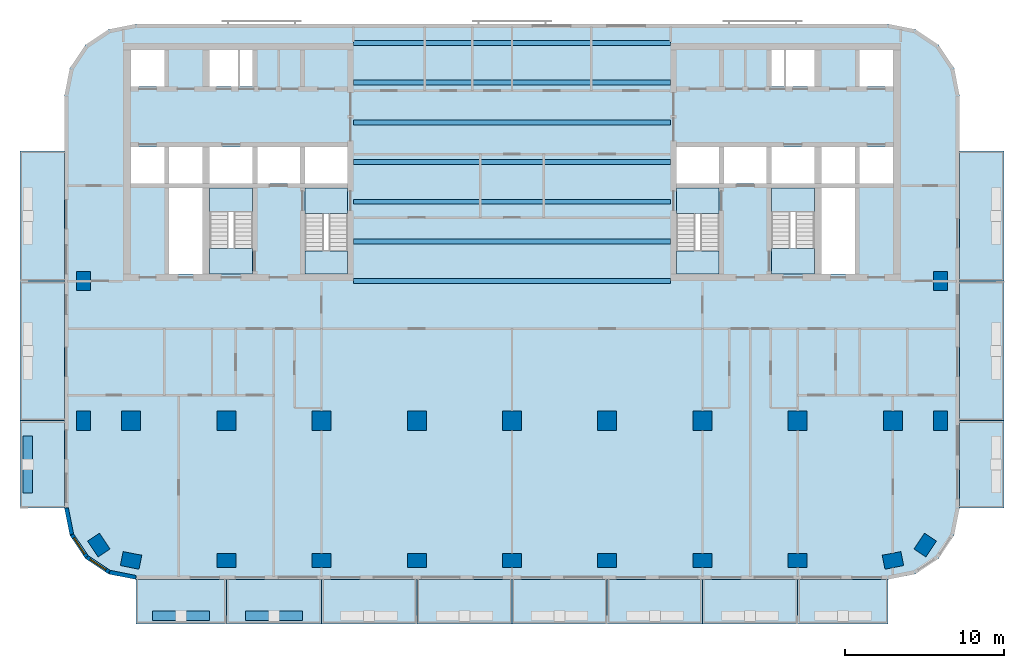
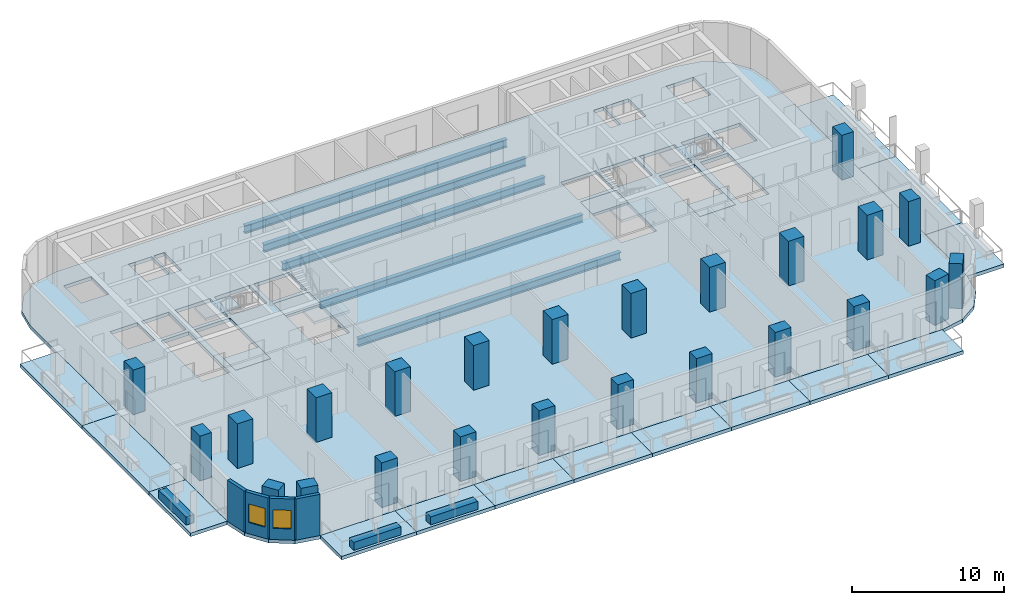
# One storey, part 1 of 11: 24 columns, 23 slabs, 7 beams, 7 walls, 2 windows, 2 openings, 4 elements without a shape of their own.
"""IFC4 building model written with IfcOpenShell, lengths in metres."""

from ifc_helpers import new_model, si_unit, direction, frame, frame_2d, origin, origin_2d, place, context, subcontext, project, spatial, polyline, rectangle, i_section, outline, extrude, material, layer, layer_set, material_profile, profile_set, type_object, element, fill, aggregate, save


model = new_model("IFC4")

# Units and contexts
model_context = context("Model", 3, precision=1e-05, world=origin(), true_north=direction((0.0, 1.0)))
body_context = subcontext(model_context, "Body", "Model", "MODEL_VIEW")
ifc_project = project(units=[si_unit("LENGTHUNIT", "METRE"), si_unit("AREAUNIT", "SQUARE_METRE"), si_unit("VOLUMEUNIT", "CUBIC_METRE"), si_unit("PLANEANGLEUNIT", "RADIAN"), si_unit("MASSUNIT", "GRAM", prefix="KILO")], contexts=[model_context])

# Site, building, storey
site_placement = place(None, origin())
site = spatial("IfcSite", under=ifc_project, at=site_placement, CompositionType="ELEMENT")
building_placement = place(site_placement, origin())
building = spatial("IfcBuilding", under=site, at=building_placement, Name="Torana Hotel and Residences", CompositionType="ELEMENT")
storey_placement = place(building_placement, frame((0.0, 0.0, 127.199951171875)))
storey = spatial("IfcBuildingStorey", under=building, at=storey_placement, Name="L32", CompositionType="ELEMENT", Elevation=127.199951171875)

# Columns
ifc_material_1 = material(Name="Concrete C70/85", Category="concrete")
ifc_material_profile_1 = material_profile(ifc_material_1, rectangle(XDim=1.199951171875, YDim=1.199951171875, at=origin_2d()), Name="RC 1200x1200")
ifc_profile_set_1 = profile_set([ifc_material_profile_1], Name="Concrete C70/85")
column_type_1 = type_object("IfcColumnType", Name="COLUMN RC 1200x1200 C70/85", PredefinedType="COLUMN", material=ifc_profile_set_1)
for number, where, z_axis, x_axis, name in (
    (1, (-24.0, -23.800048828125, 0.0), (0.0, 0.0, 1.0), (1.0, 0.0, 0.0), "Column L32"),
    (2, (-18.0, -23.800048828125, 0.0), (0.0, 0.0, 1.0), (1.0, 0.0, 0.0), "Column L32"),
    (3, (-12.0, -23.800048828125, 0.0), (0.0, 0.0, 1.0), (1.0, 0.0, 0.0), "Column L32"),
    (4, (-6.0, -23.800048828125, 0.0), (0.0, 0.0, 1.0), (1.0, 0.0, 0.0), "Column L32"),
    (5, (0.0, -23.800048828125, 0.0), (0.0, 0.0, 1.0), (1.0, 0.0, 0.0), "Column L32"),
    (6, (6.0, -23.800048828125, 0.0), (0.0, 0.0, 1.0), (1.0, 0.0, 0.0), "Column L32"),
    (7, (12.0, -23.800048828125, 0.0), (0.0, 0.0, 1.0), (1.0, 0.0, 0.0), "Column L32"),
    (8, (18.0, -23.800048828125, 0.0), (0.0, 0.0, 1.0), (1.0, 0.0, 0.0), "Column L32"),
    (9, (24.0, -23.800048828125, 0.0), (0.0, 0.0, 1.0), (1.0, 0.0, 0.0), "Column L32"),
):
    element("IfcColumn", number, at=place(storey_placement, frame(where, z_axis=z_axis, x_axis=x_axis)), inside=storey, type_object=column_type_1, Name=name, PredefinedType="COLUMN", context=body_context, shape_type="SweptSolid", body=[
        extrude(rectangle(XDim=1.199951171875, YDim=1.199951171875, at=origin_2d()), origin(), (0.0, 0.0, 1.0), 3.60009765625),
    ])
ifc_material_2 = material(Name="Concrete C70/85", Category="concrete")
ifc_material_profile_2 = material_profile(ifc_material_2, rectangle(XDim=1.199951171875, YDim=0.89990234375, at=origin_2d()), Name="RC 1200x900")
ifc_profile_set_2 = profile_set([ifc_material_profile_2], Name="Concrete C70/85")
column_type_2 = type_object("IfcColumnType", Name="COLUMN RC 1200x900 C70/85", PredefinedType="COLUMN", material=ifc_profile_set_2)
for number, where, z_axis, x_axis, name in (
    (10, (-27.0, -23.800048828125, 0.0), (0.0, 0.0, 1.0), (0.0, 1.0, 0.0), "Column L32"),
    (11, (-27.0, -15.0, 0.0), (0.0, 0.0, 1.0), (0.0, 1.0, 0.0), "Column L32"),
    (12, (-26.032958984375, -31.633056640625, 0.0), (0.0, 0.0, 1.0), (-0.555584744817, 0.831459915646, 0.0), "Column L32"),
    (13, (-24.0, -32.60009765625, 0.0), (0.0, 0.0, 1.0), (-0.980792089743, 0.195056086032, 0.0), "Column L32"),
    (14, (-18.0, -32.60009765625, 0.0), (0.0, 0.0, 1.0), (1.0, 0.0, 0.0), "Column L32"),
    (15, (-12.0, -32.60009765625, 0.0), (0.0, 0.0, 1.0), (1.0, 0.0, 0.0), "Column L32"),
    (16, (-6.0, -32.60009765625, 0.0), (0.0, 0.0, 1.0), (1.0, 0.0, 0.0), "Column L32"),
    (17, (0.0, -32.60009765625, 0.0), (0.0, 0.0, 1.0), (1.0, 0.0, 0.0), "Column L32"),
    (18, (6.0, -32.60009765625, 0.0), (0.0, 0.0, 1.0), (1.0, 0.0, 0.0), "Column L32"),
    (19, (12.0, -32.60009765625, 0.0), (0.0, 0.0, 1.0), (1.0, 0.0, 0.0), "Column L32"),
    (20, (18.0, -32.60009765625, 0.0), (0.0, 0.0, 1.0), (1.0, 0.0, 0.0), "Column L32"),
    (21, (24.0, -32.60009765625, 0.0), (0.0, 0.0, 1.0), (0.980792089743, 0.195056086032, 0.0), "Column L32"),
    (22, (26.032958984375, -31.633056640625, 0.0), (0.0, 0.0, 1.0), (0.555584744817, 0.831459915646, 0.0), "Column L32"),
    (23, (27.0, -23.800048828125, 0.0), (0.0, 0.0, 1.0), (0.0, 1.0, 0.0), "Column L32"),
    (24, (27.0, -15.0, 0.0), (0.0, 0.0, 1.0), (0.0, 1.0, 0.0), "Column L32"),
):
    element("IfcColumn", number, at=place(storey_placement, frame(where, z_axis=z_axis, x_axis=x_axis)), inside=storey, type_object=column_type_2, Name=name, PredefinedType="COLUMN", context=body_context, shape_type="SweptSolid", body=[
        extrude(rectangle(XDim=1.199951171875, YDim=0.89990234375, at=origin_2d()), origin(), (0.0, 0.0, 1.0), 3.60009765625),
    ])

# Beams
ifc_material_3 = material(Name="Steel S355", Category="steel")
ifc_material_profile_3 = material_profile(ifc_material_3, i_section(OverallWidth=0.311279296875, OverallDepth=0.6357421875, WebThickness=0.018310546875, FlangeThickness=0.031494140625, FilletRadius=0.0166015625, at=origin_2d()), Name="610x305x238 UB")
ifc_profile_set_3 = profile_set([ifc_material_profile_3], Name="Steel S355")
beam_type = type_object("IfcBeamType", Name="STEEL GIRDER 610x305x238 UB", PredefinedType="BEAM", material=ifc_profile_set_3)
for number, where, z_axis, x_axis, name in (
    (25, (-10.0, -15.0, -0.597900390625), (1.0, 0.0, 0.0), (0.0, 1.0, 0.0), "Floor girder"),
    (26, (-10.0, -12.5, -0.597900390625), (1.0, 0.0, 0.0), (0.0, 1.0, 0.0), "Floor girder"),
    (27, (-10.0, -10.0, -0.597900390625), (1.0, 0.0, 0.0), (0.0, 1.0, 0.0), "Floor girder"),
    (28, (-10.0, -7.5, -0.597900390625), (1.0, 0.0, 0.0), (0.0, 1.0, 0.0), "Floor girder"),
    (29, (-10.0, -5.0, -0.597900390625), (1.0, 0.0, 0.0), (0.0, 1.0, 0.0), "Floor girder"),
    (30, (-10.0, -2.5, -0.597900390625), (1.0, 0.0, 0.0), (0.0, 1.0, 0.0), "Floor girder"),
    (31, (-10.0, 0.0, -0.597900390625), (1.0, 0.0, 0.0), (0.0, 1.0, 0.0), "Floor girder"),
):
    element("IfcBeam", number, at=place(storey_placement, frame(where, z_axis=z_axis, x_axis=x_axis)), inside=storey, type_object=beam_type, Name=name, PredefinedType="BEAM", context=body_context, shape_type="SweptSolid", body=[
        extrude(i_section(OverallWidth=0.311279296875, OverallDepth=0.6357421875, WebThickness=0.018310546875, FlangeThickness=0.031494140625, FilletRadius=0.0166015625, at=origin_2d()), origin(), (0.0, 0.0, 1.0), 20.0),
    ])

# Slabs
ifc_material_4 = material(Name="Concrete C40/50", Category="concrete")
ifc_layer_1 = layer(ifc_material_4, 0.280029296875)
ifc_layer_set_1 = layer_set([ifc_layer_1], Name="BAL1 BALCONY SLAB 280")
slab_type_1 = type_object("IfcSlabType", Name="BAL1 BALCONY SLAB 280", PredefinedType="USERDEFINED", material=ifc_layer_set_1)
slab_1_placement = place(storey_placement, frame((0.0, 0.0, -0.280029296875)))
element("IfcSlab", 32, at=slab_1_placement, inside=storey, type_object=slab_type_1, Name="Balcony 01", ObjectType="BALCONY", PredefinedType="USERDEFINED", context=body_context, shape_type="SweptSolid", body=[
    extrude(outline(polyline([(-23.699951171875, -36.60009765625), (-18.0, -36.60009765625), (-18.0, -33.800048828125), (-23.699951171875, -33.800048828125), (-23.699951171875, -36.60009765625)])), origin(), (0.0, 0.0, 1.0), 0.280029296875),
])
slab_2_placement = place(storey_placement, frame((0.0, 0.0, -0.280029296875)))
element("IfcSlab", 33, at=slab_2_placement, inside=storey, type_object=slab_type_1, Name="Balcony 02", ObjectType="BALCONY", PredefinedType="USERDEFINED", context=body_context, shape_type="SweptSolid", body=[
    extrude(outline(polyline([(-18.0, -36.60009765625), (-12.0, -36.60009765625), (-12.0, -33.800048828125), (-18.0, -33.800048828125), (-18.0, -36.60009765625)])), origin(), (0.0, 0.0, 1.0), 0.280029296875),
])
slab_3_placement = place(storey_placement, frame((0.0, 0.0, -0.280029296875)))
element("IfcSlab", 34, at=slab_3_placement, inside=storey, type_object=slab_type_1, Name="Balcony 03", ObjectType="BALCONY", PredefinedType="USERDEFINED", context=body_context, shape_type="SweptSolid", body=[
    extrude(outline(polyline([(-12.0, -36.60009765625), (-6.0, -36.60009765625), (-6.0, -33.800048828125), (-12.0, -33.800048828125), (-12.0, -36.60009765625)])), origin(), (0.0, 0.0, 1.0), 0.280029296875),
])
slab_4_placement = place(storey_placement, frame((0.0, 0.0, -0.280029296875)))
element("IfcSlab", 35, at=slab_4_placement, inside=storey, type_object=slab_type_1, Name="Balcony 04", ObjectType="BALCONY", PredefinedType="USERDEFINED", context=body_context, shape_type="SweptSolid", body=[
    extrude(outline(polyline([(-6.0, -36.60009765625), (0.0, -36.60009765625), (0.0, -33.800048828125), (-6.0, -33.800048828125), (-6.0, -36.60009765625)])), origin(), (0.0, 0.0, 1.0), 0.280029296875),
])
slab_5_placement = place(storey_placement, frame((0.0, 0.0, -0.280029296875)))
element("IfcSlab", 36, at=slab_5_placement, inside=storey, type_object=slab_type_1, Name="Balcony 05", ObjectType="BALCONY", PredefinedType="USERDEFINED", context=body_context, shape_type="SweptSolid", body=[
    extrude(outline(polyline([(0.0, -36.60009765625), (6.0, -36.60009765625), (6.0, -33.800048828125), (0.0, -33.800048828125), (0.0, -36.60009765625)])), origin(), (0.0, 0.0, 1.0), 0.280029296875),
])
slab_6_placement = place(storey_placement, frame((0.0, 0.0, -0.280029296875)))
element("IfcSlab", 37, at=slab_6_placement, inside=storey, type_object=slab_type_1, Name="Balcony 06", ObjectType="BALCONY", PredefinedType="USERDEFINED", context=body_context, shape_type="SweptSolid", body=[
    extrude(outline(polyline([(6.0, -36.60009765625), (12.0, -36.60009765625), (12.0, -33.800048828125), (6.0, -33.800048828125), (6.0, -36.60009765625)])), origin(), (0.0, 0.0, 1.0), 0.280029296875),
])
slab_7_placement = place(storey_placement, frame((0.0, 0.0, -0.280029296875)))
element("IfcSlab", 38, at=slab_7_placement, inside=storey, type_object=slab_type_1, Name="Balcony 07", ObjectType="BALCONY", PredefinedType="USERDEFINED", context=body_context, shape_type="SweptSolid", body=[
    extrude(outline(polyline([(12.0, -36.60009765625), (18.0, -36.60009765625), (18.0, -33.800048828125), (12.0, -33.800048828125), (12.0, -36.60009765625)])), origin(), (0.0, 0.0, 1.0), 0.280029296875),
])
slab_8_placement = place(storey_placement, frame((0.0, 0.0, -0.280029296875)))
element("IfcSlab", 39, at=slab_8_placement, inside=storey, type_object=slab_type_1, Name="Balcony 08", ObjectType="BALCONY", PredefinedType="USERDEFINED", context=body_context, shape_type="SweptSolid", body=[
    extrude(outline(polyline([(18.0, -36.60009765625), (23.699951171875, -36.60009765625), (23.699951171875, -33.800048828125), (18.0, -33.800048828125), (18.0, -36.60009765625)])), origin(), (0.0, 0.0, 1.0), 0.280029296875),
])
slab_9_placement = place(storey_placement, frame((0.0, 0.0, -0.280029296875)))
element("IfcSlab", 40, at=slab_9_placement, inside=storey, type_object=slab_type_1, Name="Balcony 09", ObjectType="BALCONY", PredefinedType="USERDEFINED", context=body_context, shape_type="SweptSolid", body=[
    extrude(outline(polyline([(-31.0, -29.300048828125), (-28.199951171875, -29.300048828125), (-28.199951171875, -23.800048828125), (-31.0, -23.800048828125), (-31.0, -29.300048828125)])), origin(), (0.0, 0.0, 1.0), 0.280029296875),
])
slab_10_placement = place(storey_placement, frame((0.0, 0.0, -0.280029296875)))
element("IfcSlab", 41, at=slab_10_placement, inside=storey, type_object=slab_type_1, Name="Balcony 10", ObjectType="BALCONY", PredefinedType="USERDEFINED", context=body_context, shape_type="SweptSolid", body=[
    extrude(outline(polyline([(-31.0, -23.800048828125), (-28.199951171875, -23.800048828125), (-28.199951171875, -15.0), (-31.0, -15.0), (-31.0, -23.800048828125)])), origin(), (0.0, 0.0, 1.0), 0.280029296875),
])
slab_11_placement = place(storey_placement, frame((0.0, 0.0, -0.280029296875)))
element("IfcSlab", 42, at=slab_11_placement, inside=storey, type_object=slab_type_1, Name="Balcony 11", ObjectType="BALCONY", PredefinedType="USERDEFINED", context=body_context, shape_type="SweptSolid", body=[
    extrude(outline(polyline([(-31.0, -15.0), (-28.199951171875, -15.0), (-28.199951171875, -6.800048828125), (-31.0, -6.800048828125), (-31.0, -15.0)])), origin(), (0.0, 0.0, 1.0), 0.280029296875),
])
slab_12_placement = place(storey_placement, frame((0.0, 0.0, -0.280029296875)))
element("IfcSlab", 43, at=slab_12_placement, inside=storey, type_object=slab_type_1, Name="Balcony 12", ObjectType="BALCONY", PredefinedType="USERDEFINED", context=body_context, shape_type="SweptSolid", body=[
    extrude(outline(polyline([(28.199951171875, -29.300048828125), (31.0, -29.300048828125), (31.0, -23.800048828125), (28.199951171875, -23.800048828125), (28.199951171875, -29.300048828125)])), origin(), (0.0, 0.0, 1.0), 0.280029296875),
])
slab_13_placement = place(storey_placement, frame((0.0, 0.0, -0.280029296875)))
element("IfcSlab", 44, at=slab_13_placement, inside=storey, type_object=slab_type_1, Name="Balcony 13", ObjectType="BALCONY", PredefinedType="USERDEFINED", context=body_context, shape_type="SweptSolid", body=[
    extrude(outline(polyline([(28.199951171875, -23.800048828125), (31.0, -23.800048828125), (31.0, -15.0), (28.199951171875, -15.0), (28.199951171875, -23.800048828125)])), origin(), (0.0, 0.0, 1.0), 0.280029296875),
])
slab_14_placement = place(storey_placement, frame((0.0, 0.0, -0.280029296875)))
element("IfcSlab", 45, at=slab_14_placement, inside=storey, type_object=slab_type_1, Name="Balcony 14", ObjectType="BALCONY", PredefinedType="USERDEFINED", context=body_context, shape_type="SweptSolid", body=[
    extrude(outline(polyline([(28.199951171875, -15.0), (31.0, -15.0), (31.0, -6.800048828125), (28.199951171875, -6.800048828125), (28.199951171875, -15.0)])), origin(), (0.0, 0.0, 1.0), 0.280029296875),
])
ifc_material_5 = material(Name="Concrete C40/50", Category="concrete")
ifc_layer_2 = layer(ifc_material_5, 0.280029296875)
ifc_layer_set_2 = layer_set([ifc_layer_2], Name="FLOOR SLAB PT 280")
slab_type_2 = type_object("IfcSlabType", Name="FLOOR SLAB PT 280", PredefinedType="FLOOR", material=ifc_layer_set_2)
slab_15_placement = place(storey_placement, frame((0.0, 0.0, -0.280029296875)))
element("IfcSlab", 46, at=slab_15_placement, inside=storey, type_object=slab_type_2, Name="Floor slab", PredefinedType="FLOOR", context=body_context, shape_type="SweptSolid", body=[
    extrude(outline(polyline([(28.199951171875, -3.300048828125), (27.857421875, -1.577880859375), (26.882080078125, -0.117919921875), (25.422119140625, 0.857421875), (23.699951171875, 1.199951171875), (-23.699951171875, 1.199951171875), (-25.422119140625, 0.857421875), (-26.882080078125, -0.117919921875), (-27.857421875, -1.577880859375), (-28.199951171875, -3.300048828125), (-28.199951171875, -29.300048828125), (-27.857421875, -31.022216796875), (-26.882080078125, -32.48193359375), (-25.422119140625, -33.45751953125), (-23.699951171875, -33.800048828125), (23.699951171875, -33.800048828125), (25.422119140625, -33.45751953125), (26.882080078125, -32.48193359375), (27.857421875, -31.022216796875), (28.199951171875, -29.300048828125), (28.199951171875, -3.300048828125)]), holes=[polyline([(-13.050048828125, -14.550048828125), (-10.35009765625, -14.550048828125), (-10.35009765625, -9.14990234375), (-13.050048828125, -9.14990234375), (-13.050048828125, -14.550048828125)]), polyline([(-19.050048828125, -14.550048828125), (-16.35009765625, -14.550048828125), (-16.35009765625, -9.14990234375), (-19.050048828125, -9.14990234375), (-19.050048828125, -14.550048828125)]), polyline([(-17.125, -2.75), (-16.35009765625, -2.75), (-16.35009765625, -0.449951171875), (-17.125, -0.449951171875), (-17.125, -2.75)]), polyline([(-19.050048828125, -2.75), (-17.27490234375, -2.75), (-17.27490234375, -0.449951171875), (-19.050048828125, -0.449951171875), (-19.050048828125, -2.75)]), polyline([(-21.60009765625, -8.85009765625), (-19.5, -8.85009765625), (-19.5, -6.550048828125), (-21.60009765625, -6.550048828125), (-21.60009765625, -8.85009765625)]), polyline([(-24.0, -2.75), (-21.89990234375, -2.75), (-21.89990234375, -0.449951171875), (-24.0, -0.449951171875), (-24.0, -2.75)]), polyline([(-24.0, -8.85009765625), (-21.89990234375, -8.85009765625), (-21.89990234375, -6.550048828125), (-24.0, -6.550048828125), (-24.0, -8.85009765625)]), polyline([(-13.050048828125, -8.85009765625), (-10.35009765625, -8.85009765625), (-10.35009765625, -6.550048828125), (-13.050048828125, -6.550048828125), (-13.050048828125, -8.85009765625)]), polyline([(-16.050048828125, -8.85009765625), (-13.35009765625, -8.85009765625), (-13.35009765625, -6.550048828125), (-16.050048828125, -6.550048828125), (-16.050048828125, -8.85009765625)]), polyline([(-19.050048828125, -8.85009765625), (-16.35009765625, -8.85009765625), (-16.35009765625, -6.550048828125), (-19.050048828125, -6.550048828125), (-19.050048828125, -8.85009765625)]), polyline([(-21.60009765625, -14.550048828125), (-19.5, -14.550048828125), (-19.5, -9.14990234375), (-21.60009765625, -9.14990234375), (-21.60009765625, -14.550048828125)]), polyline([(10.35009765625, -14.550048828125), (13.050048828125, -14.550048828125), (13.050048828125, -9.14990234375), (10.35009765625, -9.14990234375), (10.35009765625, -14.550048828125)]), polyline([(16.35009765625, -14.550048828125), (19.050048828125, -14.550048828125), (19.050048828125, -9.14990234375), (16.35009765625, -9.14990234375), (16.35009765625, -14.550048828125)]), polyline([(16.35009765625, -2.75), (17.125, -2.75), (17.125, -0.449951171875), (16.35009765625, -0.449951171875), (16.35009765625, -2.75)]), polyline([(17.27490234375, -2.75), (19.050048828125, -2.75), (19.050048828125, -0.449951171875), (17.27490234375, -0.449951171875), (17.27490234375, -2.75)]), polyline([(19.5, -8.85009765625), (21.60009765625, -8.85009765625), (21.60009765625, -6.550048828125), (19.5, -6.550048828125), (19.5, -8.85009765625)]), polyline([(21.89990234375, -2.75), (24.0, -2.75), (24.0, -0.449951171875), (21.89990234375, -0.449951171875), (21.89990234375, -2.75)]), polyline([(21.89990234375, -8.85009765625), (24.0, -8.85009765625), (24.0, -6.550048828125), (21.89990234375, -6.550048828125), (21.89990234375, -8.85009765625)]), polyline([(10.35009765625, -8.85009765625), (13.050048828125, -8.85009765625), (13.050048828125, -6.550048828125), (10.35009765625, -6.550048828125), (10.35009765625, -8.85009765625)]), polyline([(13.35009765625, -8.85009765625), (16.050048828125, -8.85009765625), (16.050048828125, -6.550048828125), (13.35009765625, -6.550048828125), (13.35009765625, -8.85009765625)]), polyline([(16.35009765625, -8.85009765625), (19.050048828125, -8.85009765625), (19.050048828125, -6.550048828125), (16.35009765625, -6.550048828125), (16.35009765625, -8.85009765625)]), polyline([(19.5, -14.550048828125), (21.60009765625, -14.550048828125), (21.60009765625, -9.14990234375), (19.5, -9.14990234375), (19.5, -14.550048828125)])]), origin(), (0.0, 0.0, 1.0), 0.280029296875),
])

# Stair, slabs
ifc_material_6 = material(Name="Concrete C40/50 precast", Category="concrete")
stair_type_1 = type_object("IfcStairType", Name="STAIR ST1 HALF TURN 1200", PredefinedType="HALF_TURN_STAIR", material=ifc_material_6)
stair_1_placement = place(storey_placement, origin())
stair_1 = element("IfcStair", 47, at=stair_1_placement, inside=storey, type_object=stair_type_1, Name="Stair ST1 L32", PredefinedType="HALF_TURN_STAIR")
ifc_material_7 = material(Name="Concrete C40/50 precast", Category="concrete")
ifc_layer_3 = layer(ifc_material_7, 0.199951171875)
ifc_layer_set_3 = layer_set([ifc_layer_3], Name="STAIR LANDING 200")
slab_type_3 = type_object("IfcSlabType", Name="STAIR LANDING 200", PredefinedType="LANDING", material=ifc_layer_set_3)
slab_16_placement = place(storey_placement, frame((0.0, 0.0, 1.60009765625)))
slab_16 = element("IfcSlab", 48, at=slab_16_placement, type_object=slab_type_3, Name="ST1 landing 1", PredefinedType="LANDING", context=body_context, shape_type="SweptSolid", body=[
    extrude(outline(polyline([(-13.050048828125, -14.550048828125), (-10.35009765625, -14.550048828125), (-10.35009765625, -13.090087890625), (-13.050048828125, -13.090087890625), (-13.050048828125, -14.550048828125)])), origin(), (0.0, 0.0, 1.0), 0.199951171875),
])
slab_17_placement = place(storey_placement, frame((0.0, 0.0, -0.199951171875)))
slab_17 = element("IfcSlab", 49, at=slab_17_placement, type_object=slab_type_3, Name="ST1 landing 2", PredefinedType="LANDING", context=body_context, shape_type="SweptSolid", body=[
    extrude(outline(polyline([(-13.050048828125, -10.75), (-10.35009765625, -10.75), (-10.35009765625, -9.14990234375), (-13.050048828125, -9.14990234375), (-13.050048828125, -10.75)])), origin(), (0.0, 0.0, 1.0), 0.199951171875),
])
aggregate(stair_1, [slab_16, slab_17])

ifc_material_8 = material(Name="Concrete C40/50 precast", Category="concrete")
stair_type_2 = type_object("IfcStairType", Name="STAIR ST2 HALF TURN 1200", PredefinedType="HALF_TURN_STAIR", material=ifc_material_8)
stair_2_placement = place(storey_placement, origin())
stair_2 = element("IfcStair", 50, at=stair_2_placement, inside=storey, type_object=stair_type_2, Name="Stair ST2 L32", PredefinedType="HALF_TURN_STAIR")
slab_18_placement = place(storey_placement, frame((0.0, 0.0, 1.60009765625)))
slab_18 = element("IfcSlab", 51, at=slab_18_placement, type_object=slab_type_3, Name="ST2 landing 1", PredefinedType="LANDING", context=body_context, shape_type="SweptSolid", body=[
    extrude(outline(polyline([(-19.050048828125, -10.610107421875), (-16.35009765625, -10.610107421875), (-16.35009765625, -9.14990234375), (-19.050048828125, -9.14990234375), (-19.050048828125, -10.610107421875)])), origin(), (0.0, 0.0, 1.0), 0.199951171875),
])
slab_19_placement = place(storey_placement, frame((0.0, 0.0, -0.199951171875)))
slab_19 = element("IfcSlab", 52, at=slab_19_placement, type_object=slab_type_3, Name="ST2 landing 2", PredefinedType="LANDING", context=body_context, shape_type="SweptSolid", body=[
    extrude(outline(polyline([(-19.050048828125, -14.550048828125), (-16.35009765625, -14.550048828125), (-16.35009765625, -12.949951171875), (-19.050048828125, -12.949951171875), (-19.050048828125, -14.550048828125)])), origin(), (0.0, 0.0, 1.0), 0.199951171875),
])
aggregate(stair_2, [slab_18, slab_19])

ifc_material_9 = material(Name="Concrete C40/50 precast", Category="concrete")
stair_type_3 = type_object("IfcStairType", Name="STAIR ST3 HALF TURN 1200", PredefinedType="HALF_TURN_STAIR", material=ifc_material_9)
stair_3_placement = place(storey_placement, origin())
stair_3 = element("IfcStair", 53, at=stair_3_placement, inside=storey, type_object=stair_type_3, Name="Stair ST3 L32", PredefinedType="HALF_TURN_STAIR")
slab_20_placement = place(storey_placement, frame((0.0, 0.0, 1.60009765625)))
slab_20 = element("IfcSlab", 54, at=slab_20_placement, type_object=slab_type_3, Name="ST3 landing 1", PredefinedType="LANDING", context=body_context, shape_type="SweptSolid", body=[
    extrude(outline(polyline([(10.35009765625, -14.550048828125), (13.050048828125, -14.550048828125), (13.050048828125, -13.090087890625), (10.35009765625, -13.090087890625), (10.35009765625, -14.550048828125)])), origin(), (0.0, 0.0, 1.0), 0.199951171875),
])
slab_21_placement = place(storey_placement, frame((0.0, 0.0, -0.199951171875)))
slab_21 = element("IfcSlab", 55, at=slab_21_placement, type_object=slab_type_3, Name="ST3 landing 2", PredefinedType="LANDING", context=body_context, shape_type="SweptSolid", body=[
    extrude(outline(polyline([(10.35009765625, -10.75), (13.050048828125, -10.75), (13.050048828125, -9.14990234375), (10.35009765625, -9.14990234375), (10.35009765625, -10.75)])), origin(), (0.0, 0.0, 1.0), 0.199951171875),
])
aggregate(stair_3, [slab_20, slab_21])

ifc_material_10 = material(Name="Concrete C40/50 precast", Category="concrete")
stair_type_4 = type_object("IfcStairType", Name="STAIR ST4 HALF TURN 1200", PredefinedType="HALF_TURN_STAIR", material=ifc_material_10)
stair_4_placement = place(storey_placement, origin())
stair_4 = element("IfcStair", 56, at=stair_4_placement, inside=storey, type_object=stair_type_4, Name="Stair ST4 L32", PredefinedType="HALF_TURN_STAIR")
slab_22_placement = place(storey_placement, frame((0.0, 0.0, 1.60009765625)))
slab_22 = element("IfcSlab", 57, at=slab_22_placement, type_object=slab_type_3, Name="ST4 landing 1", PredefinedType="LANDING", context=body_context, shape_type="SweptSolid", body=[
    extrude(outline(polyline([(16.35009765625, -10.610107421875), (19.050048828125, -10.610107421875), (19.050048828125, -9.14990234375), (16.35009765625, -9.14990234375), (16.35009765625, -10.610107421875)])), origin(), (0.0, 0.0, 1.0), 0.199951171875),
])
slab_23_placement = place(storey_placement, frame((0.0, 0.0, -0.199951171875)))
slab_23 = element("IfcSlab", 58, at=slab_23_placement, type_object=slab_type_3, Name="ST4 landing 2", PredefinedType="LANDING", context=body_context, shape_type="SweptSolid", body=[
    extrude(outline(polyline([(16.35009765625, -14.550048828125), (19.050048828125, -14.550048828125), (19.050048828125, -12.949951171875), (16.35009765625, -12.949951171875), (16.35009765625, -14.550048828125)])), origin(), (0.0, 0.0, 1.0), 0.199951171875),
])
aggregate(stair_4, [slab_22, slab_23])

# Wall
ifc_material_11 = material(Name="Black aluminium composite panel", Category="aluminium")
ifc_layer_4 = layer(ifc_material_11, 0.00390625, Name="Cladding", Category="cladding")
ifc_material_12 = material(Name="Ventilated air cavity")
ifc_layer_5 = layer(ifc_material_12, 0.0400390625, Name="Ventilated cavity", Category="cavity")
ifc_material_13 = material(Name="Mineral wool insulation")
ifc_layer_6 = layer(ifc_material_13, 0.090087890625, Name="Insulation", Category="insulation")
ifc_material_14 = material(Name="Steel S280GD", Category="steel")
ifc_layer_7 = layer(ifc_material_14, 0.092041015625, Name="Steel stud frame", Category="structure")
ifc_material_15 = material(Name="Fire rated plasterboard")
ifc_layer_8 = layer(ifc_material_15, 0.011962890625, Name="Inner board", Category="finish")
ifc_layer_9 = layer(ifc_material_15, 0.011962890625, Name="Second board", Category="finish")
ifc_layer_set_4 = layer_set([ifc_layer_4, ifc_layer_5, ifc_layer_6, ifc_layer_7, ifc_layer_8, ifc_layer_9], Name="EW1 EXTERNAL WALL BLACK METAL CLAD 250")
wall_type_1 = type_object("IfcWallType", Name="EW1 EXTERNAL WALL BLACK METAL CLAD 250", PredefinedType="SOLIDWALL", material=ifc_layer_set_4)
wall_1_placement = place(storey_placement, frame((-28.072509765625, -29.2998046875, 0.0), z_axis=(0.0, 0.0, 1.0), x_axis=(0.194999110559, -0.980803419081, 0.0)))
element("IfcWall", 59, at=wall_1_placement, inside=storey, type_object=wall_type_1, Name="External wall L32 e0.10", PredefinedType="SOLIDWALL", context=body_context, shape_type="SweptSolid", body=[
    extrude(rectangle(XDim=1.681396484375, YDim=0.25, at=frame_2d((0.8408203125, 0.0))), origin(), (0.0, 0.0, 1.0), 3.320068359375),
])

# Wall, opening, window
wall_2_placement = place(storey_placement, frame((-27.725830078125, -30.993896484375, 0.0), z_axis=(0.0, 0.0, 1.0), x_axis=(0.55555029066, -0.831482937015, 0.0)))
wall_2 = element("IfcWall", 60, at=wall_2_placement, inside=storey, type_object=wall_type_1, Name="External wall L32 e0.11", PredefinedType="SOLIDWALL", context=body_context, shape_type="SweptSolid", body=[
    extrude(rectangle(XDim=1.65625, YDim=0.25, at=frame_2d((0.828125, 0.0))), origin(), (0.0, 0.0, 1.0), 3.320068359375),
])
opening_1_placement = place(wall_2_placement, frame((0.228271484375, 0.0, 0.89990234375)))
opening_1 = element("IfcOpeningElement", 61, at=opening_1_placement, cuts=wall_2, Name="Opening W5", PredefinedType="OPENING", context=body_context, shape_type="SweptSolid", body=[
    extrude(rectangle(XDim=1.199951171875, YDim=1.5, at=frame_2d((0.60009765625, 0.75))), frame((0.0, 0.135009765625, 0.0), z_axis=(0.0, -1.0, 0.0), x_axis=(1.0, 0.0, 0.0)), (0.0, 0.0, 1.0), 0.27001953125),
])
ifc_material_16 = material(Name="Dark glass in black aluminium frame", Category="aluminium")
window_type = type_object("IfcWindowType", Name="W5 CORNER FACET WINDOW 1200x1500", PartitioningType="SINGLE_PANEL", PredefinedType="WINDOW", material=ifc_material_16)
window_1_placement = place(opening_1_placement, origin())
window_1 = element("IfcWindow", 62, at=window_1_placement, inside=storey, type_object=window_type, Name="Window L32 e0.11", OverallHeight=1.5, OverallWidth=1.199951171875, PartitioningType="SINGLE_PANEL", PredefinedType="WINDOW", context=body_context, shape_type="SweptSolid", body=[
    extrude(rectangle(XDim=1.199951171875, YDim=1.5, at=frame_2d((0.60009765625, 0.75))), frame((0.0, 0.030029296875, 0.0), z_axis=(0.0, -1.0, 0.0), x_axis=(1.0, 0.0, 0.0)), (0.0, 0.0, 1.0), 0.06005859375),
])
fill(opening_1, window_1)

wall_3_placement = place(storey_placement, frame((-26.771240234375, -32.40576171875, 0.0), z_axis=(0.0, 0.0, 1.0), x_axis=(0.831482937015, -0.55555029066, 0.0)))
wall_3 = element("IfcWall", 63, at=wall_3_placement, inside=storey, type_object=wall_type_1, Name="External wall L32 e0.12", PredefinedType="SOLIDWALL", context=body_context, shape_type="SweptSolid", body=[
    extrude(rectangle(XDim=1.65625, YDim=0.25, at=frame_2d((0.828125, 0.0))), origin(), (0.0, 0.0, 1.0), 3.320068359375),
])
opening_2_placement = place(wall_3_placement, frame((0.228271484375, 0.0, 0.89990234375)))
opening_2 = element("IfcOpeningElement", 64, at=opening_2_placement, cuts=wall_3, Name="Opening W5", PredefinedType="OPENING", context=body_context, shape_type="SweptSolid", body=[
    extrude(rectangle(XDim=1.199951171875, YDim=1.5, at=frame_2d((0.60009765625, 0.75))), frame((0.0, 0.135009765625, 0.0), z_axis=(0.0, -1.0, 0.0), x_axis=(1.0, 0.0, 0.0)), (0.0, 0.0, 1.0), 0.27001953125),
])
window_2_placement = place(opening_2_placement, origin())
window_2 = element("IfcWindow", 65, at=window_2_placement, inside=storey, type_object=window_type, Name="Window L32 e0.12", OverallHeight=1.5, OverallWidth=1.199951171875, PartitioningType="SINGLE_PANEL", PredefinedType="WINDOW", context=body_context, shape_type="SweptSolid", body=[
    extrude(rectangle(XDim=1.199951171875, YDim=1.5, at=frame_2d((0.60009765625, 0.75))), frame((0.0, 0.030029296875, 0.0), z_axis=(0.0, -1.0, 0.0), x_axis=(1.0, 0.0, 0.0)), (0.0, 0.0, 1.0), 0.06005859375),
])
fill(opening_2, window_2)

# Walls
wall_4_placement = place(storey_placement, frame((-25.348876953125, -33.344482421875, 0.0), z_axis=(0.0, 0.0, 1.0), x_axis=(0.980775640221, -0.19513878023, 0.0)))
element("IfcWall", 66, at=wall_4_placement, inside=storey, type_object=wall_type_1, Name="External wall L32 e0.13", PredefinedType="SOLIDWALL", context=body_context, shape_type="SweptSolid", body=[
    extrude(rectangle(XDim=1.681396484375, YDim=0.25, at=frame_2d((0.8408203125, 0.0))), origin(), (0.0, 0.0, 1.0), 3.320068359375),
])
ifc_material_17 = material(Name="Concrete C40/50 precast", Category="concrete")
ifc_layer_10 = layer(ifc_material_17, 0.10009765625, Name="Planter shell", Category="structure")
ifc_material_18 = material(Name="Root resistant membrane")
ifc_layer_11 = layer(ifc_material_18, 0.00390625, Name="Waterproofing membrane", Category="membrane")
ifc_material_19 = material(Name="Drainage board with filter fleece")
ifc_layer_12 = layer(ifc_material_19, 0.02001953125, Name="Drainage board", Category="drainage")
ifc_material_20 = material(Name="Growing medium")
ifc_layer_13 = layer(ifc_material_20, 0.47607421875, Name="Planting substrate", Category="soil")
ifc_layer_set_5 = layer_set([ifc_layer_10, ifc_layer_11, ifc_layer_12, ifc_layer_13], Name="PL1 BALCONY PLANTER 600")
wall_type_2 = type_object("IfcWallType", Name="PL1 BALCONY PLANTER 600", PredefinedType="USERDEFINED", material=ifc_layer_set_5)
wall_5_placement = place(storey_placement, frame((-19.050048828125, -36.10009765625, 0.0), z_axis=(0.0, 0.0, 1.0), x_axis=(-1.0, 0.0, 0.0)))
element("IfcWall", 67, at=wall_5_placement, inside=storey, type_object=wall_type_2, Name="Planter 01", ObjectType="PLANTER", PredefinedType="USERDEFINED", context=body_context, shape_type="SweptSolid", body=[
    extrude(rectangle(XDim=3.599853515625, YDim=0.60009765625, at=frame_2d((1.7998046875, 0.0))), origin(), (0.0, 0.0, 1.0), 0.650146484375),
])
for number, where, z_axis, x_axis, name in (
    (68, (-13.199951171875, -36.10009765625, 0.0), (0.0, 0.0, 1.0), (-1.0, 0.0, 0.0), "Planter 02"),
    (69, (-30.5, -28.35009765625, 0.0), (0.0, 0.0, 1.0), (0.0, 1.0, 0.0), "Planter 09"),
):
    element("IfcWall", number, at=place(storey_placement, frame(where, z_axis=z_axis, x_axis=x_axis)), inside=storey, type_object=wall_type_2, Name=name, ObjectType="PLANTER", PredefinedType="USERDEFINED", context=body_context, shape_type="SweptSolid", body=[
        extrude(rectangle(XDim=3.60009765625, YDim=0.60009765625, at=frame_2d((1.800048828125, 0.0))), origin(), (0.0, 0.0, 1.0), 0.650146484375),
    ])

save(model, "model.ifc")
